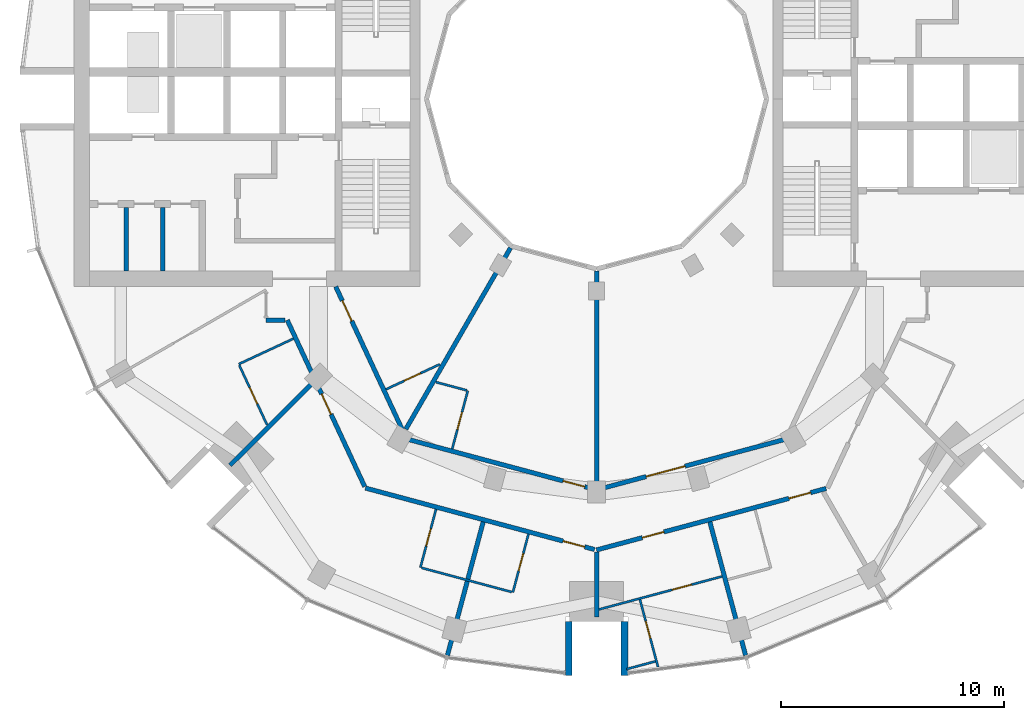
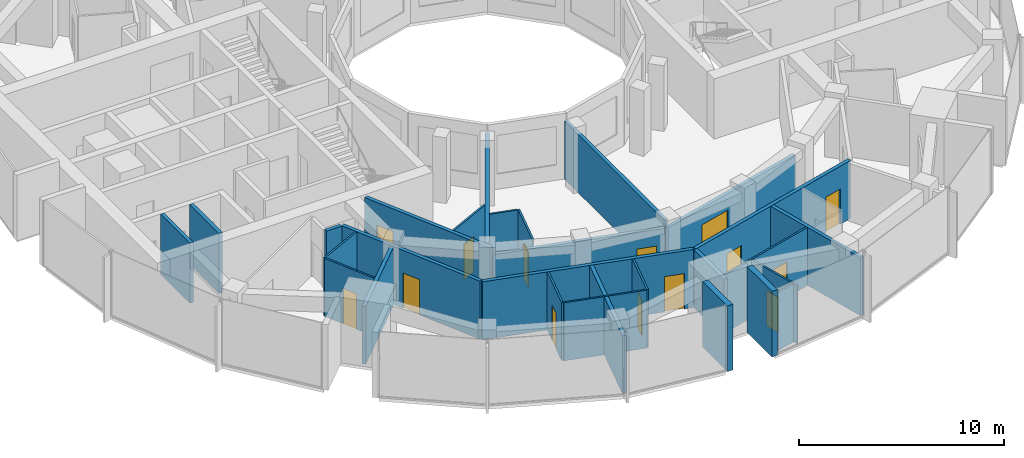
# One storey, part 8 of 15: 28 walls, 14 doors, 14 openings.
"""IFC4 building model written with IfcOpenShell, lengths in metres."""

from ifc_helpers import new_model, si_unit, direction, frame, frame_2d, origin, place, context, subcontext, project, spatial, rectangle, extrude, material, layer, layer_set, type_object, element, fill, save


model = new_model("IFC4")

# Units and contexts
model_context = context("Model", 3, precision=1e-05, world=origin(), true_north=direction((0.0, 1.0)))
body_context = subcontext(model_context, "Body", "Model", "MODEL_VIEW")
ifc_project = project(units=[si_unit("LENGTHUNIT", "METRE"), si_unit("AREAUNIT", "SQUARE_METRE"), si_unit("VOLUMEUNIT", "CUBIC_METRE"), si_unit("PLANEANGLEUNIT", "RADIAN"), si_unit("MASSUNIT", "GRAM", prefix="KILO")], contexts=[model_context])

# Site, building, storey
site_placement = place(None, origin())
site = spatial("IfcSite", under=ifc_project, at=site_placement, CompositionType="ELEMENT")
building_placement = place(site_placement, origin())
building = spatial("IfcBuilding", under=site, at=building_placement, Name="Torre Brocal", CompositionType="ELEMENT")
storey_placement = place(building_placement, frame((0.0, 0.0, 130.199951171875)))
storey = spatial("IfcBuildingStorey", under=building, at=storey_placement, Name="L30", CompositionType="ELEMENT", Elevation=130.199951171875)

# Walls
ifc_material_1 = material(Name="Masonry block", Category="masonry")
ifc_layer_1 = layer(ifc_material_1, 0.199951171875)
ifc_layer_set_1 = layer_set([ifc_layer_1], Name="Masonry block")
wall_type_1 = type_object("IfcWallType", Name="CORE PARTITION 200", PredefinedType="PARTITIONING", material=ifc_layer_set_1)
for number, where, z_axis, x_axis, name in (
    (1, (60.566650390625, 70.14990234375, 0.0), (0.0, 0.0, 1.0), (0.0, -1.0, 0.0), "Wall CP200"),
    (2, (58.933349609375, 70.14990234375, 0.0), (0.0, 0.0, 1.0), (0.0, -1.0, 0.0), "Wall CP200"),
):
    element("IfcWall", number, at=place(storey_placement, frame(where, z_axis=z_axis, x_axis=x_axis)), inside=storey, type_object=wall_type_1, Name=name, PredefinedType="PARTITIONING", context=body_context, shape_type="SweptSolid", body=[
        extrude(rectangle(XDim=2.849853515625, YDim=0.199951171875, at=frame_2d((1.4248046875, 0.0))), origin(), (0.0, 0.0, 1.0), 3.580078125),
    ])
ifc_material_2 = material(Name="Concrete C70", Category="concrete")
ifc_layer_2 = layer(ifc_material_2, 0.300048828125)
ifc_layer_set_2 = layer_set([ifc_layer_2], Name="Concrete C70")
wall_type_2 = type_object("IfcWallType", Name="NOTCH RETURN WALL 300 C70", PredefinedType="NOTDEFINED", material=ifc_layer_set_2)
for number, where, z_axis, x_axis, name in (
    (3, (78.75, 51.60009765625, 0.0), (0.0, 0.0, 1.0), (0.0, -1.0, 0.0), "NOTCH RETURN WALL"),
    (4, (81.25, 51.60009765625, 0.0), (0.0, 0.0, 1.0), (0.0, -1.0, 0.0), "NOTCH RETURN WALL"),
):
    element("IfcWall", number, at=place(storey_placement, frame(where, z_axis=z_axis, x_axis=x_axis)), inside=storey, type_object=wall_type_2, Name=name, PredefinedType="NOTDEFINED", context=body_context, shape_type="SweptSolid", body=[
        extrude(rectangle(XDim=2.415771484375, YDim=0.300048828125, at=frame_2d((1.2080078125, 0.0))), origin(), (0.0, 0.0, 1.0), 3.900146484375),
    ])

# Wall, opening, door
ifc_material_3 = material(Name="Gypsum board", Category="Gypsum")
ifc_layer_3 = layer(ifc_material_3, 0.10009765625)
ifc_layer_set_3 = layer_set([ifc_layer_3], Name="Gypsum board")
wall_type_3 = type_object("IfcWallType", Name="PARTITION 100", PredefinedType="PARTITIONING", material=ifc_layer_set_3)
wall_1_placement = place(storey_placement, frame((64.001220703125, 63.081787109375, 0.0), z_axis=(0.0, 0.0, 1.0), x_axis=(0.422271882089, -0.906469225951, 0.0)))
wall_1 = element("IfcWall", 5, at=wall_1_placement, inside=storey, type_object=wall_type_3, Name="BATHROOM WALL", PredefinedType="PARTITIONING", context=body_context, shape_type="SweptSolid", body=[
    extrude(rectangle(XDim=2.941162109375, YDim=0.10009765625, at=frame_2d((1.470703125, 0.0))), origin(), (0.0, 0.0, 1.0), 3.449951171875),
])
opening_1_placement = place(wall_1_placement, frame((1.110595703125, 0.0, 0.0)))
opening_1 = element("IfcOpeningElement", 6, at=opening_1_placement, cuts=wall_1, Name="Opening E02-D39", PredefinedType="OPENING", context=body_context, shape_type="SweptSolid", body=[
    extrude(rectangle(XDim=0.800048828125, YDim=2.10009765625, at=frame_2d((0.39990234375, 1.050048828125))), frame((0.0, 0.06005859375, 0.0), z_axis=(0.0, -1.0, 0.0), x_axis=(1.0, 0.0, 0.0)), (0.0, 0.0, 1.0), 0.1201171875),
])
ifc_material_4 = material(Name="Timber", Category="wood")
door_type_1 = type_object("IfcDoorType", Name="BATHROOM DOOR 800X2100", OperationType="SINGLE_SWING_LEFT", PredefinedType="DOOR", material=ifc_material_4)
door_1_placement = place(opening_1_placement, origin())
door_1 = element("IfcDoor", 7, at=door_1_placement, inside=storey, type_object=door_type_1, Name="E02-D39", OperationType="SINGLE_SWING_RIGHT", OverallHeight=2.10009765625, OverallWidth=0.800048828125, PredefinedType="DOOR", context=body_context, shape_type="SweptSolid", body=[
    extrude(rectangle(XDim=0.800048828125, YDim=2.10009765625, at=frame_2d((0.39990234375, 1.050048828125))), frame((0.0, 0.02490234375, 0.0), z_axis=(0.0, -1.0, 0.0), x_axis=(1.0, 0.0, 0.0)), (0.0, 0.0, 1.0), 0.050048828125),
])
fill(opening_1, door_1)

# Wall
wall_2_placement = place(storey_placement, frame((63.97998046875, 63.126953125, 0.0), z_axis=(0.0, 0.0, 1.0), x_axis=(0.90649017149, 0.422226916469, 0.0)))
element("IfcWall", 8, at=wall_2_placement, inside=storey, type_object=wall_type_3, Name="BATHROOM WALL", PredefinedType="PARTITIONING", context=body_context, shape_type="SweptSolid", body=[
    extrude(rectangle(XDim=2.69970703125, YDim=0.10009765625, at=frame_2d((1.349853515625, 0.0))), origin(), (0.0, 0.0, 1.0), 3.449951171875),
])

# Wall, opening, door
wall_3_placement = place(storey_placement, frame((70.57373046875, 61.997314453125, 0.0), z_axis=(0.0, 0.0, 1.0), x_axis=(0.906511197636, 0.422181771942, 0.0)))
wall_3 = element("IfcWall", 9, at=wall_3_placement, inside=storey, type_object=wall_type_3, Name="BATHROOM WALL", PredefinedType="PARTITIONING", context=body_context, shape_type="SweptSolid", body=[
    extrude(rectangle(XDim=2.659423828125, YDim=0.10009765625, at=frame_2d((1.32958984375, 0.0))), origin(), (0.0, 0.0, 1.0), 3.449951171875),
])
opening_2_placement = place(wall_3_placement, frame((0.89990234375, 0.0, 0.0)))
opening_2 = element("IfcOpeningElement", 10, at=opening_2_placement, cuts=wall_3, Name="Opening E02-D45", PredefinedType="OPENING", context=body_context, shape_type="SweptSolid", body=[
    extrude(rectangle(XDim=0.800048828125, YDim=2.10009765625, at=frame_2d((0.39990234375, 1.050048828125))), frame((0.0, 0.06005859375, 0.0), z_axis=(0.0, -1.0, 0.0), x_axis=(1.0, 0.0, 0.0)), (0.0, 0.0, 1.0), 0.1201171875),
])
door_2_placement = place(opening_2_placement, frame((0.800048828125, 0.0, 0.0), z_axis=(0.0, 0.0, 1.0), x_axis=(-1.0, 0.0, 0.0)))
door_2 = element("IfcDoor", 11, at=door_2_placement, inside=storey, type_object=door_type_1, Name="E02-D45", OperationType="SINGLE_SWING_RIGHT", OverallHeight=2.10009765625, OverallWidth=0.800048828125, PredefinedType="DOOR", context=body_context, shape_type="SweptSolid", body=[
    extrude(rectangle(XDim=0.800048828125, YDim=2.10009765625, at=frame_2d((0.39990234375, 1.050048828125))), frame((0.0, 0.02490234375, 0.0), z_axis=(0.0, -1.0, 0.0), x_axis=(1.0, 0.0, 0.0)), (0.0, 0.0, 1.0), 0.050048828125),
])
fill(opening_2, door_2)

# Wall
wall_4_placement = place(storey_placement, frame((72.16748046875, 54.00390625, 0.0), z_axis=(0.0, 0.0, 1.0), x_axis=(0.965881316313, -0.258985101497, 0.0)))
element("IfcWall", 12, at=wall_4_placement, inside=storey, type_object=wall_type_3, Name="BATHROOM WALL", PredefinedType="PARTITIONING", context=body_context, shape_type="SweptSolid", body=[
    extrude(rectangle(XDim=4.181640625, YDim=0.10009765625, at=frame_2d((2.0908203125, 0.0))), origin(), (0.0, 0.0, 1.0), 3.449951171875),
])

# Wall, opening, door
wall_5_placement = place(storey_placement, frame((72.11376953125, 54.018310546875, 0.0), z_axis=(0.0, 0.0, 1.0), x_axis=(0.258945475746, 0.965891940432, 0.0)))
wall_5 = element("IfcWall", 13, at=wall_5_placement, inside=storey, type_object=wall_type_3, Name="BATHROOM WALL", PredefinedType="PARTITIONING", context=body_context, shape_type="SweptSolid", body=[
    extrude(rectangle(XDim=2.7001953125, YDim=0.10009765625, at=frame_2d((1.35009765625, 0.0))), origin(), (0.0, 0.0, 1.0), 3.449951171875),
])
opening_3_placement = place(wall_5_placement, frame((1.000244140625, 0.0, 0.0)))
opening_3 = element("IfcOpeningElement", 14, at=opening_3_placement, cuts=wall_5, Name="Opening E02-D37", PredefinedType="OPENING", context=body_context, shape_type="SweptSolid", body=[
    extrude(rectangle(XDim=0.800048828125, YDim=2.10009765625, at=frame_2d((0.39990234375, 1.050048828125))), frame((0.0, 0.06005859375, 0.0), z_axis=(0.0, -1.0, 0.0), x_axis=(1.0, 0.0, 0.0)), (0.0, 0.0, 1.0), 0.1201171875),
])
door_3_placement = place(opening_3_placement, frame((0.800048828125, 0.0, 0.0), z_axis=(0.0, 0.0, 1.0), x_axis=(-1.0, 0.0, 0.0)))
door_3 = element("IfcDoor", 15, at=door_3_placement, inside=storey, type_object=door_type_1, Name="E02-D37", OperationType="SINGLE_SWING_LEFT", OverallHeight=2.10009765625, OverallWidth=0.800048828125, PredefinedType="DOOR", context=body_context, shape_type="SweptSolid", body=[
    extrude(rectangle(XDim=0.800048828125, YDim=2.10009765625, at=frame_2d((0.39990234375, 1.050048828125))), frame((0.0, 0.02490234375, 0.0), z_axis=(0.0, -1.0, 0.0), x_axis=(1.0, 0.0, 0.0)), (0.0, 0.0, 1.0), 0.050048828125),
])
fill(opening_3, door_3)

# Wall
wall_6_placement = place(storey_placement, frame((72.803466796875, 62.322509765625, 0.0), z_axis=(0.0, 0.0, 1.0), x_axis=(0.965987704064, -0.258588003583, 0.0)))
element("IfcWall", 16, at=wall_6_placement, inside=storey, type_object=wall_type_3, Name="BATHROOM WALL", PredefinedType="PARTITIONING", context=body_context, shape_type="SweptSolid", body=[
    extrude(rectangle(XDim=1.428466796875, YDim=0.10009765625, at=frame_2d((0.71435546875, 0.0))), origin(), (0.0, 0.0, 1.0), 3.449951171875),
])

# Wall, opening, door
wall_7_placement = place(storey_placement, frame((73.5380859375, 59.331298828125, 0.0), z_axis=(0.0, 0.0, 1.0), x_axis=(0.259013334072, 0.965873745773, 0.0)))
wall_7 = element("IfcWall", 17, at=wall_7_placement, inside=storey, type_object=wall_type_3, Name="BATHROOM WALL", PredefinedType="PARTITIONING", context=body_context, shape_type="SweptSolid", body=[
    extrude(rectangle(XDim=2.699462890625, YDim=0.10009765625, at=frame_2d((1.349609375, 0.0))), origin(), (0.0, 0.0, 1.0), 3.449951171875),
])
opening_4_placement = place(wall_7_placement, frame((0.89990234375, 0.0, 0.0)))
opening_4 = element("IfcOpeningElement", 18, at=opening_4_placement, cuts=wall_7, Name="Opening E02-D43", PredefinedType="OPENING", context=body_context, shape_type="SweptSolid", body=[
    extrude(rectangle(XDim=0.800048828125, YDim=2.10009765625, at=frame_2d((0.39990234375, 1.050048828125))), frame((0.0, 0.06005859375, 0.0), z_axis=(0.0, -1.0, 0.0), x_axis=(1.0, 0.0, 0.0)), (0.0, 0.0, 1.0), 0.1201171875),
])
door_4_placement = place(opening_4_placement, origin())
door_4 = element("IfcDoor", 19, at=door_4_placement, inside=storey, type_object=door_type_1, Name="E02-D43", OperationType="SINGLE_SWING_LEFT", OverallHeight=2.10009765625, OverallWidth=0.800048828125, PredefinedType="DOOR", context=body_context, shape_type="SweptSolid", body=[
    extrude(rectangle(XDim=0.800048828125, YDim=2.10009765625, at=frame_2d((0.39990234375, 1.050048828125))), frame((0.0, 0.02490234375, 0.0), z_axis=(0.0, -1.0, 0.0), x_axis=(1.0, 0.0, 0.0)), (0.0, 0.0, 1.0), 0.050048828125),
])
fill(opening_4, door_4)

wall_8_placement = place(storey_placement, frame((76.2548828125, 52.908935546875, 0.0), z_axis=(0.0, 0.0, 1.0), x_axis=(0.25867580527, 0.965964195904, 0.0)))
wall_8 = element("IfcWall", 20, at=wall_8_placement, inside=storey, type_object=wall_type_3, Name="BATHROOM WALL", PredefinedType="PARTITIONING", context=body_context, shape_type="SweptSolid", body=[
    extrude(rectangle(XDim=2.69921875, YDim=0.10009765625, at=frame_2d((1.349609375, 0.0))), origin(), (0.0, 0.0, 1.0), 3.449951171875),
])
opening_5_placement = place(wall_8_placement, frame((0.99951171875, 0.0, 0.0)))
opening_5 = element("IfcOpeningElement", 21, at=opening_5_placement, cuts=wall_8, Name="Opening E02-D35", PredefinedType="OPENING", context=body_context, shape_type="SweptSolid", body=[
    extrude(rectangle(XDim=0.800048828125, YDim=2.10009765625, at=frame_2d((0.39990234375, 1.050048828125))), frame((0.0, 0.06005859375, 0.0), z_axis=(0.0, -1.0, 0.0), x_axis=(1.0, 0.0, 0.0)), (0.0, 0.0, 1.0), 0.1201171875),
])
door_5_placement = place(opening_5_placement, origin())
door_5 = element("IfcDoor", 22, at=door_5_placement, inside=storey, type_object=door_type_1, Name="E02-D35", OperationType="SINGLE_SWING_RIGHT", OverallHeight=2.10009765625, OverallWidth=0.800048828125, PredefinedType="DOOR", context=body_context, shape_type="SweptSolid", body=[
    extrude(rectangle(XDim=0.800048828125, YDim=2.10009765625, at=frame_2d((0.39990234375, 1.050048828125))), frame((0.0, 0.02490234375, 0.0), z_axis=(0.0, -1.0, 0.0), x_axis=(1.0, 0.0, 0.0)), (0.0, 0.0, 1.0), 0.050048828125),
])
fill(opening_5, door_5)

wall_9_placement = place(storey_placement, frame((80.106201171875, 52.140380859375, 0.0), z_axis=(0.0, 0.0, 1.0), x_axis=(0.965888724411, 0.25895747152, 0.0)))
wall_9 = element("IfcWall", 23, at=wall_9_placement, inside=storey, type_object=wall_type_3, Name="BATHROOM WALL", PredefinedType="PARTITIONING", context=body_context, shape_type="SweptSolid", body=[
    extrude(rectangle(XDim=5.714111328125, YDim=0.10009765625, at=frame_2d((2.85693359375, 0.0))), origin(), (0.0, 0.0, 1.0), 3.449951171875),
])
opening_6_placement = place(wall_9_placement, frame((3.392333984375, 0.0, 0.0)))
opening_6 = element("IfcOpeningElement", 24, at=opening_6_placement, cuts=wall_9, Name="Opening E02-D32", PredefinedType="OPENING", context=body_context, shape_type="SweptSolid", body=[
    extrude(rectangle(XDim=0.89990234375, YDim=2.10009765625, at=frame_2d((0.449951171875, 1.050048828125))), frame((0.0, 0.06005859375, 0.0), z_axis=(0.0, -1.0, 0.0), x_axis=(1.0, 0.0, 0.0)), (0.0, 0.0, 1.0), 0.1201171875),
])
ifc_material_5 = material(Name="Timber", Category="wood")
door_type_2 = type_object("IfcDoorType", Name="ROOM DOOR 900X2100", OperationType="SINGLE_SWING_LEFT", PredefinedType="DOOR", material=ifc_material_5)
door_6_placement = place(opening_6_placement, frame((0.89990234375, 0.0, 0.0), z_axis=(0.0, 0.0, 1.0), x_axis=(-1.0, 0.0, 0.0)))
door_6 = element("IfcDoor", 25, at=door_6_placement, inside=storey, type_object=door_type_2, Name="E02-D32", OperationType="SINGLE_SWING_LEFT", OverallHeight=2.10009765625, OverallWidth=0.89990234375, PredefinedType="DOOR", context=body_context, shape_type="SweptSolid", body=[
    extrude(rectangle(XDim=0.89990234375, YDim=2.10009765625, at=frame_2d((0.449951171875, 1.050048828125))), frame((0.0, 0.02490234375, 0.0), z_axis=(0.0, -1.0, 0.0), x_axis=(1.0, 0.0, 0.0)), (0.0, 0.0, 1.0), 0.050048828125),
])
fill(opening_6, door_6)

# Wall
wall_10_placement = place(storey_placement, frame((81.342041015625, 49.468994140625, 0.0), z_axis=(0.0, 0.0, 1.0), x_axis=(0.965825019766, 0.259194967533, 0.0)))
element("IfcWall", 26, at=wall_10_placement, inside=storey, type_object=wall_type_3, Name="BATHROOM WALL", PredefinedType="PARTITIONING", context=body_context, shape_type="SweptSolid", body=[
    extrude(rectangle(XDim=1.33837890625, YDim=0.10009765625, at=frame_2d((0.669189453125, 0.0))), origin(), (0.0, 0.0, 1.0), 3.449951171875),
])

# Wall, opening, door
wall_11_placement = place(storey_placement, frame((81.945068359375, 52.581787109375, 0.0), z_axis=(0.0, 0.0, 1.0), x_axis=(0.258941837668, -0.965892915755, 0.0)))
wall_11 = element("IfcWall", 27, at=wall_11_placement, inside=storey, type_object=wall_type_3, Name="BATHROOM WALL", PredefinedType="PARTITIONING", context=body_context, shape_type="SweptSolid", body=[
    extrude(rectangle(XDim=3.12353515625, YDim=0.10009765625, at=frame_2d((1.561767578125, 0.0))), origin(), (0.0, 0.0, 1.0), 3.449951171875),
])
opening_7_placement = place(wall_11_placement, frame((1.0, 0.0, 0.0)))
opening_7 = element("IfcOpeningElement", 28, at=opening_7_placement, cuts=wall_11, Name="Opening E02-D33", PredefinedType="OPENING", context=body_context, shape_type="SweptSolid", body=[
    extrude(rectangle(XDim=0.800048828125, YDim=2.10009765625, at=frame_2d((0.39990234375, 1.050048828125))), frame((0.0, 0.06005859375, 0.0), z_axis=(0.0, -1.0, 0.0), x_axis=(1.0, 0.0, 0.0)), (0.0, 0.0, 1.0), 0.1201171875),
])
door_7_placement = place(opening_7_placement, frame((0.800048828125, 0.0, 0.0), z_axis=(0.0, 0.0, 1.0), x_axis=(-1.0, 0.0, 0.0)))
door_7 = element("IfcDoor", 29, at=door_7_placement, inside=storey, type_object=door_type_1, Name="E02-D33", OperationType="SINGLE_SWING_RIGHT", OverallHeight=2.10009765625, OverallWidth=0.800048828125, PredefinedType="DOOR", context=body_context, shape_type="SweptSolid", body=[
    extrude(rectangle(XDim=0.800048828125, YDim=2.10009765625, at=frame_2d((0.39990234375, 1.050048828125))), frame((0.0, 0.02490234375, 0.0), z_axis=(0.0, -1.0, 0.0), x_axis=(1.0, 0.0, 0.0)), (0.0, 0.0, 1.0), 0.050048828125),
])
fill(opening_7, door_7)

# Walls
ifc_material_6 = material(Name="Gypsum board", Category="Gypsum")
ifc_layer_4 = layer(ifc_material_6, 0.199951171875)
ifc_layer_set_4 = layer_set([ifc_layer_4], Name="Gypsum board")
wall_type_4 = type_object("IfcWallType", Name="PARTITION 200 EI60", PredefinedType="PARTITIONING", material=ifc_layer_set_4)
wall_12_placement = place(storey_placement, frame((63.59228515625, 58.59912109375, 0.0), z_axis=(0.0, 0.0, 1.0), x_axis=(0.707292886396, 0.706920626982, 0.0)))
element("IfcWall", 30, at=wall_12_placement, inside=storey, type_object=wall_type_4, Name="BATHROOM WALL", PredefinedType="PARTITIONING", context=body_context, shape_type="SweptSolid", body=[
    extrude(rectangle(XDim=5.24658203125, YDim=0.199951171875, at=frame_2d((2.623291015625, 0.0))), origin(), (0.0, 0.0, 1.0), 3.449951171875),
])
wall_13_placement = place(storey_placement, frame((65.199951171875, 65.10009765625, 0.0), z_axis=(0.0, 0.0, 1.0), x_axis=(1.0, 0.0, 0.0)))
element("IfcWall", 31, at=wall_13_placement, inside=storey, type_object=wall_type_4, Name="GUESTROOM CORRIDOR WALL", PredefinedType="PARTITIONING", context=body_context, shape_type="SweptSolid", body=[
    extrude(rectangle(XDim=0.860107421875, YDim=0.199951171875, at=frame_2d((0.43017578125, 0.0))), origin(), (0.0, 0.0, 1.0), 3.449951171875),
])

# Wall, opening, door
wall_14_placement = place(storey_placement, frame((66.150390625, 65.10009765625, 0.0), z_axis=(0.0, 0.0, 1.0), x_axis=(0.421814710342, -0.906682055706, 0.0)))
wall_14 = element("IfcWall", 32, at=wall_14_placement, inside=storey, type_object=wall_type_4, Name="GUESTROOM CORRIDOR WALL", PredefinedType="PARTITIONING", context=body_context, shape_type="SweptSolid", body=[
    extrude(rectangle(XDim=8.22802734375, YDim=0.199951171875, at=frame_2d((4.114013671875, 0.0))), origin(), (0.0, 0.0, 1.0), 3.449951171875),
])
opening_8_placement = place(wall_14_placement, frame((3.654052734375, 0.0, 0.0)))
opening_8 = element("IfcOpeningElement", 33, at=opening_8_placement, cuts=wall_14, Name="Opening E02-D36", PredefinedType="OPENING", context=body_context, shape_type="SweptSolid", body=[
    extrude(rectangle(XDim=1.0, YDim=2.10009765625, at=frame_2d((0.5, 1.050048828125))), frame((0.0, 0.10986328125, 0.0), z_axis=(0.0, -1.0, 0.0), x_axis=(1.0, 0.0, 0.0)), (0.0, 0.0, 1.0), 0.219970703125),
])
ifc_material_7 = material(Name="Timber", Category="wood")
door_type_3 = type_object("IfcDoorType", Name="FLAT ENTRY DOOR FD30S 1000X2100", OperationType="SINGLE_SWING_RIGHT", PredefinedType="DOOR", material=ifc_material_7)
door_8_placement = place(opening_8_placement, frame((1.0, 0.0, 0.0), z_axis=(0.0, 0.0, 1.0), x_axis=(-1.0, 0.0, 0.0)))
door_8 = element("IfcDoor", 34, at=door_8_placement, inside=storey, type_object=door_type_3, Name="E02-D36", OperationType="SINGLE_SWING_RIGHT", OverallHeight=2.10009765625, OverallWidth=1.0, PredefinedType="DOOR", context=body_context, shape_type="SweptSolid", body=[
    extrude(rectangle(XDim=1.0, YDim=2.10009765625, at=frame_2d((0.5, 1.050048828125))), frame((0.0, 0.02490234375, 0.0), z_axis=(0.0, -1.0, 0.0), x_axis=(1.0, 0.0, 0.0)), (0.0, 0.0, 1.0), 0.050048828125),
])
fill(opening_8, door_8)

wall_15_placement = place(storey_placement, frame((68.32080078125, 66.600341796875, 0.0), z_axis=(0.0, 0.0, 1.0), x_axis=(0.421914092414, -0.906635813666, 0.0)))
wall_15 = element("IfcWall", 35, at=wall_15_placement, inside=storey, type_object=wall_type_4, Name="GUESTROOM CORRIDOR WALL", PredefinedType="PARTITIONING", context=body_context, shape_type="SweptSolid", body=[
    extrude(rectangle(XDim=7.45947265625, YDim=0.199951171875, at=frame_2d((3.729736328125, 0.0))), origin(), (0.0, 0.0, 1.0), 3.449951171875),
])
opening_9_placement = place(wall_15_placement, frame((0.699951171875, 0.0, 0.0)))
opening_9 = element("IfcOpeningElement", 36, at=opening_9_placement, cuts=wall_15, Name="Opening E02-D44", PredefinedType="OPENING", context=body_context, shape_type="SweptSolid", body=[
    extrude(rectangle(XDim=1.0, YDim=2.10009765625, at=frame_2d((0.5, 1.050048828125))), frame((0.0, 0.10986328125, 0.0), z_axis=(0.0, -1.0, 0.0), x_axis=(1.0, 0.0, 0.0)), (0.0, 0.0, 1.0), 0.219970703125),
])
door_9_placement = place(opening_9_placement, origin())
door_9 = element("IfcDoor", 37, at=door_9_placement, inside=storey, type_object=door_type_3, Name="E02-D44", OperationType="SINGLE_SWING_LEFT", OverallHeight=2.10009765625, OverallWidth=1.0, PredefinedType="DOOR", context=body_context, shape_type="SweptSolid", body=[
    extrude(rectangle(XDim=1.0, YDim=2.10009765625, at=frame_2d((0.5, 1.050048828125))), frame((0.0, 0.02490234375, 0.0), z_axis=(0.0, -1.0, 0.0), x_axis=(1.0, 0.0, 0.0)), (0.0, 0.0, 1.0), 0.050048828125),
])
fill(opening_9, door_9)

wall_16_placement = place(storey_placement, frame((69.652099609375, 57.57763671875, 0.0), z_axis=(0.0, 0.0, 1.0), x_axis=(0.965851674805, -0.259095623807, 0.0)))
wall_16 = element("IfcWall", 38, at=wall_16_placement, inside=storey, type_object=wall_type_4, Name="GUESTROOM CORRIDOR WALL", PredefinedType="PARTITIONING", context=body_context, shape_type="SweptSolid", body=[
    extrude(rectangle(XDim=10.623291015625, YDim=0.199951171875, at=frame_2d((5.3115234375, 0.0))), origin(), (0.0, 0.0, 1.0), 3.449951171875),
])
opening_10_placement = place(wall_16_placement, frame((9.1630859375, 0.0, 0.0)))
opening_10 = element("IfcOpeningElement", 39, at=opening_10_placement, cuts=wall_16, Name="Opening E02-D34", PredefinedType="OPENING", context=body_context, shape_type="SweptSolid", body=[
    extrude(rectangle(XDim=1.0, YDim=2.10009765625, at=frame_2d((0.5, 1.050048828125))), frame((0.0, 0.10986328125, 0.0), z_axis=(0.0, -1.0, 0.0), x_axis=(1.0, 0.0, 0.0)), (0.0, 0.0, 1.0), 0.219970703125),
])
door_10_placement = place(opening_10_placement, frame((1.0, 0.0, 0.0), z_axis=(0.0, 0.0, 1.0), x_axis=(-1.0, 0.0, 0.0)))
door_10 = element("IfcDoor", 40, at=door_10_placement, inside=storey, type_object=door_type_3, Name="E02-D34", OperationType="SINGLE_SWING_LEFT", OverallHeight=2.10009765625, OverallWidth=1.0, PredefinedType="DOOR", context=body_context, shape_type="SweptSolid", body=[
    extrude(rectangle(XDim=1.0, YDim=2.10009765625, at=frame_2d((0.5, 1.050048828125))), frame((0.0, 0.02490234375, 0.0), z_axis=(0.0, -1.0, 0.0), x_axis=(1.0, 0.0, 0.0)), (0.0, 0.0, 1.0), 0.050048828125),
])
fill(opening_10, door_10)

# Walls
wall_17_placement = place(storey_placement, frame((71.462158203125, 60.216796875, 0.0), z_axis=(0.0, 0.0, 1.0), x_axis=(0.500094460186, 0.865970860302, 0.0)))
element("IfcWall", 41, at=wall_17_placement, inside=storey, type_object=wall_type_4, Name="BATHROOM WALL", PredefinedType="PARTITIONING", context=body_context, shape_type="SweptSolid", body=[
    extrude(rectangle(XDim=9.373291015625, YDim=0.199951171875, at=frame_2d((4.6865234375, 0.0))), origin(), (0.0, 0.0, 1.0), 3.449951171875),
])
wall_18_placement = place(storey_placement, frame((73.322509765625, 50.080810546875, 0.0), z_axis=(0.0, 0.0, 1.0), x_axis=(0.258983179771, 0.96588183159, 0.0)))
element("IfcWall", 42, at=wall_18_placement, inside=storey, type_object=wall_type_4, Name="BATHROOM WALL", PredefinedType="PARTITIONING", context=body_context, shape_type="SweptSolid", body=[
    extrude(rectangle(XDim=6.189697265625, YDim=0.199951171875, at=frame_2d((3.0947265625, 0.0))), origin(), (0.0, 0.0, 1.0), 3.449951171875),
])
wall_19_placement = place(storey_placement, frame((80.0, 51.800048828125, 0.0), z_axis=(0.0, 0.0, 1.0), x_axis=(0.0, 1.0, 0.0)))
element("IfcWall", 43, at=wall_19_placement, inside=storey, type_object=wall_type_4, Name="BATHROOM WALL", PredefinedType="PARTITIONING", context=body_context, shape_type="SweptSolid", body=[
    extrude(rectangle(XDim=2.9140625, YDim=0.199951171875, at=frame_2d((1.45703125, 0.0))), origin(), (0.0, 0.0, 1.0), 3.449951171875),
])

# Wall, openings, doors
wall_20_placement = place(storey_placement, frame((79.999755859375, 54.80517578125, 0.0), z_axis=(0.0, 0.0, 1.0), x_axis=(0.965967909695, 0.258661936588, 0.0)))
wall_20 = element("IfcWall", 44, at=wall_20_placement, inside=storey, type_object=wall_type_4, Name="FLAT ENTRANCE WALL", PredefinedType="PARTITIONING", context=body_context, shape_type="SweptSolid", body=[
    extrude(rectangle(XDim=10.64306640625, YDim=0.199951171875, at=frame_2d((5.321533203125, 0.0))), origin(), (0.0, 0.0, 1.0), 3.449951171875),
])
opening_11_placement = place(wall_20_placement, frame((8.9248046875, 0.0, 0.0)))
opening_11 = element("IfcOpeningElement", 45, at=opening_11_placement, cuts=wall_20, Name="Opening E02-D29", PredefinedType="OPENING", context=body_context, shape_type="SweptSolid", body=[
    extrude(rectangle(XDim=1.0, YDim=2.10009765625, at=frame_2d((0.5, 1.050048828125))), frame((0.0, 0.10986328125, 0.0), z_axis=(0.0, -1.0, 0.0), x_axis=(1.0, 0.0, 0.0)), (0.0, 0.0, 1.0), 0.219970703125),
])
opening_12_placement = place(wall_20_placement, frame((2.123291015625, 0.0, 0.0)))
opening_12 = element("IfcOpeningElement", 46, at=opening_12_placement, cuts=wall_20, Name="Opening E02-D31", PredefinedType="OPENING", context=body_context, shape_type="SweptSolid", body=[
    extrude(rectangle(XDim=1.0, YDim=2.10009765625, at=frame_2d((0.5, 1.050048828125))), frame((0.0, 0.10986328125, 0.0), z_axis=(0.0, -1.0, 0.0), x_axis=(1.0, 0.0, 0.0)), (0.0, 0.0, 1.0), 0.219970703125),
])
door_11_placement = place(opening_11_placement, frame((1.0, 0.0, 0.0), z_axis=(0.0, 0.0, 1.0), x_axis=(-1.0, 0.0, 0.0)))
door_11 = element("IfcDoor", 47, at=door_11_placement, inside=storey, type_object=door_type_3, Name="E02-D29", OperationType="SINGLE_SWING_LEFT", OverallHeight=2.10009765625, OverallWidth=1.0, PredefinedType="DOOR", context=body_context, shape_type="SweptSolid", body=[
    extrude(rectangle(XDim=1.0, YDim=2.10009765625, at=frame_2d((0.5, 1.050048828125))), frame((0.0, 0.02490234375, 0.0), z_axis=(0.0, -1.0, 0.0), x_axis=(1.0, 0.0, 0.0)), (0.0, 0.0, 1.0), 0.050048828125),
])
fill(opening_11, door_11)
door_12_placement = place(opening_12_placement, frame((1.0, 0.0, 0.0), z_axis=(0.0, 0.0, 1.0), x_axis=(-1.0, 0.0, 0.0)))
door_12 = element("IfcDoor", 48, at=door_12_placement, inside=storey, type_object=door_type_3, Name="E02-D31", OperationType="SINGLE_SWING_LEFT", OverallHeight=2.10009765625, OverallWidth=1.0, PredefinedType="DOOR", context=body_context, shape_type="SweptSolid", body=[
    extrude(rectangle(XDim=1.0, YDim=2.10009765625, at=frame_2d((0.5, 1.050048828125))), frame((0.0, 0.02490234375, 0.0), z_axis=(0.0, -1.0, 0.0), x_axis=(1.0, 0.0, 0.0)), (0.0, 0.0, 1.0), 0.050048828125),
])
fill(opening_12, door_12)

# Walls
wall_21_placement = place(storey_placement, frame((80.0, 57.626953125, 0.0), z_axis=(0.0, 0.0, 1.0), x_axis=(0.0, 1.0, 0.0)))
element("IfcWall", 49, at=wall_21_placement, inside=storey, type_object=wall_type_4, Name="PARTY PARTITION", PredefinedType="PARTITIONING", context=body_context, shape_type="SweptSolid", body=[
    extrude(rectangle(XDim=9.673095703125, YDim=0.199951171875, at=frame_2d((4.83642578125, 0.0))), origin(), (0.0, 0.0, 1.0), 3.449951171875),
])
wall_22_placement = place(storey_placement, frame((85.0751953125, 56.060546875, 0.0), z_axis=(0.0, 0.0, 1.0), x_axis=(0.258703231129, -0.965956851109, 0.0)))
element("IfcWall", 50, at=wall_22_placement, inside=storey, type_object=wall_type_4, Name="BATHROOM WALL", PredefinedType="PARTITIONING", context=body_context, shape_type="SweptSolid", body=[
    extrude(rectangle(XDim=6.190673828125, YDim=0.199951171875, at=frame_2d((3.09521484375, 0.0))), origin(), (0.0, 0.0, 1.0), 3.449951171875),
])

# Wall, opening, door
ifc_material_8 = material(Name="Gypsum board", Category="Gypsum")
ifc_layer_5 = layer(ifc_material_8, 0.199951171875)
ifc_layer_set_5 = layer_set([ifc_layer_5], Name="Gypsum board")
wall_type_5 = type_object("IfcWallType", Name="PARTITION 200 EI60 UNDER BEAM 820", PredefinedType="PARTITIONING", material=ifc_layer_set_5)
wall_23_placement = place(storey_placement, frame((71.498046875, 59.774169921875, 0.0), z_axis=(0.0, 0.0, 1.0), x_axis=(0.965912232838, -0.258869771225, 0.0)))
wall_23 = element("IfcWall", 51, at=wall_23_placement, inside=storey, type_object=wall_type_5, Name="GUESTROOM CORRIDOR WALL", PredefinedType="PARTITIONING", context=body_context, shape_type="SweptSolid", body=[
    extrude(rectangle(XDim=8.671875, YDim=0.199951171875, at=frame_2d((4.3359375, 0.0))), origin(), (0.0, 0.0, 1.0), 3.080078125),
])
opening_13_placement = place(wall_23_placement, frame((7.251953125, 0.0, 0.0)))
opening_13 = element("IfcOpeningElement", 52, at=opening_13_placement, cuts=wall_23, Name="Opening E02-D42", PredefinedType="OPENING", context=body_context, shape_type="SweptSolid", body=[
    extrude(rectangle(XDim=1.0, YDim=2.10009765625, at=frame_2d((0.5, 1.050048828125))), frame((0.0, 0.10986328125, 0.0), z_axis=(0.0, -1.0, 0.0), x_axis=(1.0, 0.0, 0.0)), (0.0, 0.0, 1.0), 0.219970703125),
])
door_13_placement = place(opening_13_placement, origin())
door_13 = element("IfcDoor", 53, at=door_13_placement, inside=storey, type_object=door_type_3, Name="E02-D42", OperationType="SINGLE_SWING_RIGHT", OverallHeight=2.10009765625, OverallWidth=1.0, PredefinedType="DOOR", context=body_context, shape_type="SweptSolid", body=[
    extrude(rectangle(XDim=1.0, YDim=2.10009765625, at=frame_2d((0.5, 1.050048828125))), frame((0.0, 0.02490234375, 0.0), z_axis=(0.0, -1.0, 0.0), x_axis=(1.0, 0.0, 0.0)), (0.0, 0.0, 1.0), 0.050048828125),
])
fill(opening_13, door_13)

wall_24_placement = place(storey_placement, frame((80.0009765625, 57.49609375, 0.0), z_axis=(0.0, 0.0, 1.0), x_axis=(0.965924211089, 0.258825073035, 0.0)))
wall_24 = element("IfcWall", 54, at=wall_24_placement, inside=storey, type_object=wall_type_5, Name="GUESTROOM CORRIDOR WALL", PredefinedType="PARTITIONING", context=body_context, shape_type="SweptSolid", body=[
    extrude(rectangle(XDim=8.73095703125, YDim=0.199951171875, at=frame_2d((4.365478515625, 0.0))), origin(), (0.0, 0.0, 1.0), 3.080078125),
])
opening_14_placement = place(wall_24_placement, frame((2.300048828125, 0.0, 0.0)))
opening_14 = element("IfcOpeningElement", 55, at=opening_14_placement, cuts=wall_24, Name="Opening E02-D41", PredefinedType="OPENING", context=body_context, shape_type="SweptSolid", body=[
    extrude(rectangle(XDim=1.800048828125, YDim=2.10009765625, at=frame_2d((0.89990234375, 1.050048828125))), frame((0.0, 0.10986328125, 0.0), z_axis=(0.0, -1.0, 0.0), x_axis=(1.0, 0.0, 0.0)), (0.0, 0.0, 1.0), 0.219970703125),
])
ifc_material_9 = material(Name="Timber", Category="wood")
door_type_4 = type_object("IfcDoorType", Name="DOUBLE DOOR 1800X2100", OperationType="DOUBLE_DOOR_SINGLE_SWING", PredefinedType="DOOR", material=ifc_material_9)
door_14_placement = place(opening_14_placement, origin())
door_14 = element("IfcDoor", 56, at=door_14_placement, inside=storey, type_object=door_type_4, Name="E02-D41", OperationType="DOUBLE_DOOR_SINGLE_SWING", OverallHeight=2.10009765625, OverallWidth=1.800048828125, PredefinedType="DOOR", context=body_context, shape_type="SweptSolid", body=[
    extrude(rectangle(XDim=1.800048828125, YDim=2.10009765625, at=frame_2d((0.89990234375, 1.050048828125))), frame((0.0, 0.02490234375, 0.0), z_axis=(0.0, -1.0, 0.0), x_axis=(1.0, 0.0, 0.0)), (0.0, 0.0, 1.0), 0.050048828125),
])
fill(opening_14, door_14)

save(model, "model.ifc")
